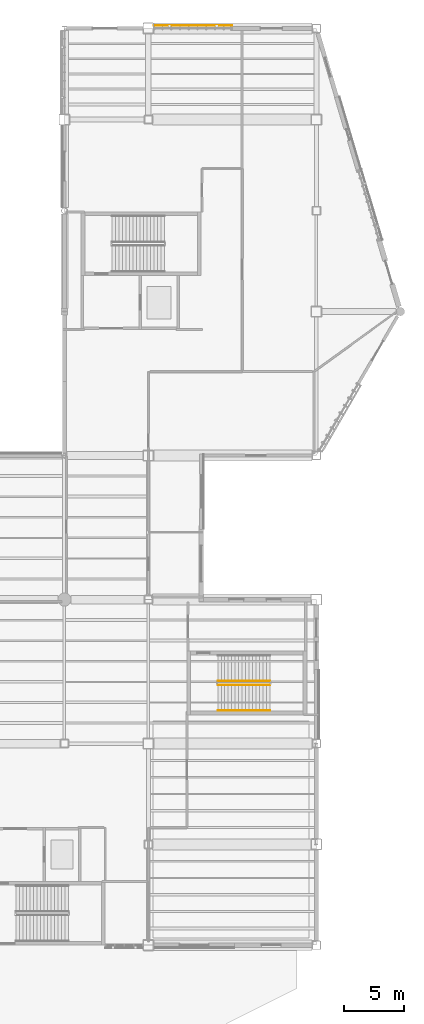
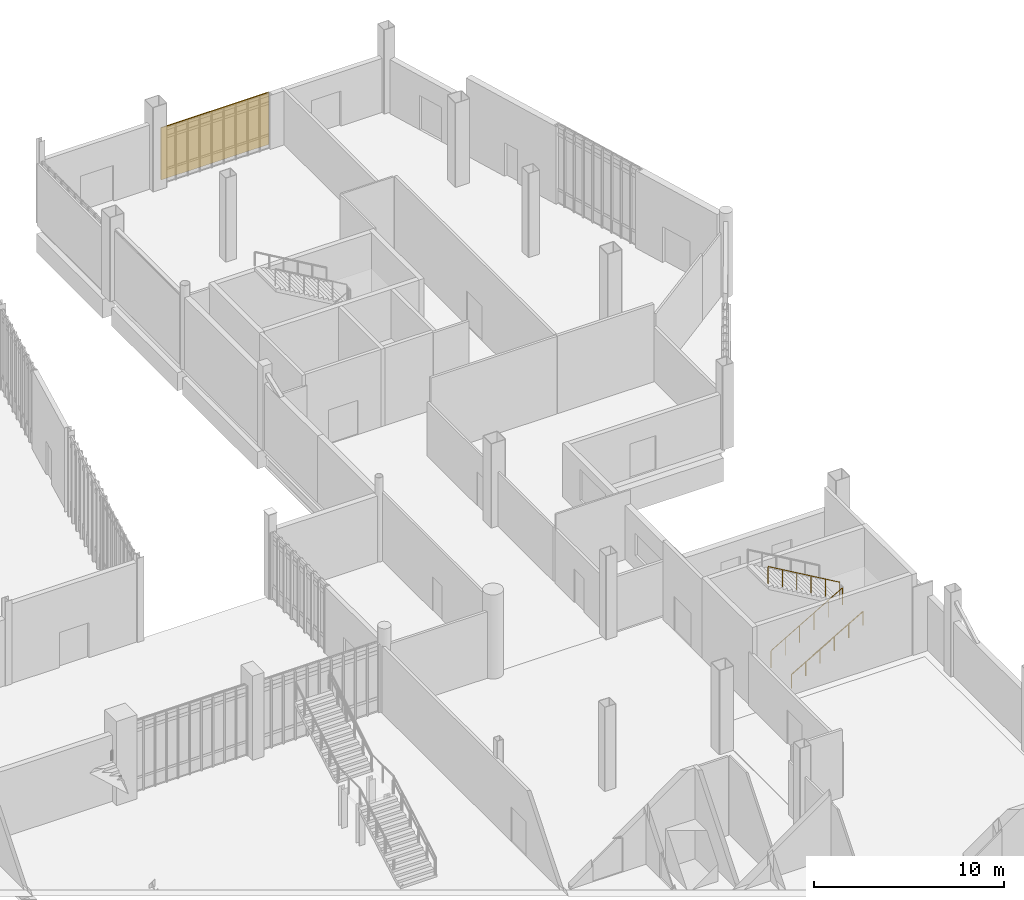
# One storey, part 108 of 111: 3 railings, 1 shading device.
"""IFC4 building model written with IfcOpenShell, lengths in metres."""

from ifc_helpers import new_model, si_unit, direction, frame, origin, origin_2d, place, context, subcontext, project, spatial, rectangle, circle, extrude, material, layer, layer_set, type_object, element, save


model = new_model("IFC4")

# Units and contexts
model_context = context("Model", 3, precision=1e-05, world=origin(), true_north=direction((0.0, 1.0)))
body_context = subcontext(model_context, "Body", "Model", "MODEL_VIEW")
ifc_project = project(units=[si_unit("LENGTHUNIT", "METRE"), si_unit("AREAUNIT", "SQUARE_METRE"), si_unit("VOLUMEUNIT", "CUBIC_METRE"), si_unit("PLANEANGLEUNIT", "RADIAN"), si_unit("MASSUNIT", "GRAM", prefix="KILO")], contexts=[model_context])

# Site, building, storey
site_placement = place(None, origin())
site = spatial("IfcSite", under=ifc_project, at=site_placement, CompositionType="ELEMENT")
building_placement = place(site_placement, origin())
building = spatial("IfcBuilding", under=site, at=building_placement, Name="Larkvane Passage Sports Hall", CompositionType="ELEMENT")
storey_placement = place(building_placement, origin())
storey = spatial("IfcBuildingStorey", under=building, at=storey_placement, Name="L00", CompositionType="ELEMENT", Elevation=0.0)

# Railings
ifc_material_1 = material(Name="Steel S355JR", Category="steel")
railing_type_1 = type_object("IfcRailingType", Name="RL-GUARD-1120", PredefinedType="GUARDRAIL", material=ifc_material_1)
railing_1_placement = place(storey_placement, frame((137.3798828125, 44.5, 0.168701171875)))
element("IfcRailing", 1, at=railing_1_placement, inside=storey, type_object=railing_type_1, Name="L00 ST-07 stair guard 1", PredefinedType="GUARDRAIL", context=body_context, shape_type="SweptSolid", body=[
    extrude(circle(Radius=0.02392578125, at=origin_2d()), frame((0.001708984375, 0.0, 1.09716796875), z_axis=(0.864323800911, 0.0, 0.50293574856), x_axis=(0.0, 1.0, 0.0)), (0.0, 0.0, 1.0), 5.029052734375),
    extrude(circle(Radius=0.02099609375, at=origin_2d()), origin(), (0.0, 0.0, 1.0), 1.072021484375),
    extrude(circle(Radius=0.02099609375, at=origin_2d()), frame((0.8701171875, 0.0, 0.50634765625)), (0.0, 0.0, 1.0), 1.072021484375),
    extrude(circle(Radius=0.02099609375, at=origin_2d()), frame((1.739990234375, 0.0, 1.012451171875)), (0.0, 0.0, 1.0), 1.072021484375),
    extrude(circle(Radius=0.02099609375, at=origin_2d()), frame((2.610107421875, 0.0, 1.518798828125)), (0.0, 0.0, 1.0), 1.072021484375),
    extrude(circle(Radius=0.02099609375, at=origin_2d()), frame((3.47998046875, 0.0, 2.02490234375)), (0.0, 0.0, 1.0), 1.072021484375),
    extrude(circle(Radius=0.02099609375, at=origin_2d()), frame((4.35009765625, 0.0, 2.53125)), (0.0, 0.0, 1.0), 1.072021484375),
])
railing_2_placement = place(storey_placement, frame((141.72998046875, 44.800048828125, 2.86865234375)))
element("IfcRailing", 2, at=railing_2_placement, inside=storey, type_object=railing_type_1, Name="L00 ST-07 stair guard 3", PredefinedType="GUARDRAIL", context=body_context, shape_type="SweptSolid", body=[
    extrude(circle(Radius=0.02392578125, at=origin_2d()), frame((-0.001708984375, 0.0, 1.09716796875), z_axis=(-0.864323800911, 0.0, 0.50293574856), x_axis=(0.0, -1.0, 0.0)), (0.0, 0.0, 1.0), 5.029052734375),
    extrude(circle(Radius=0.02099609375, at=origin_2d()), origin(), (0.0, 0.0, 1.0), 1.072021484375),
    extrude(circle(Radius=0.02099609375, at=origin_2d()), frame((-0.8701171875, 0.0, 0.50634765625)), (0.0, 0.0, 1.0), 1.072021484375),
    extrude(circle(Radius=0.02099609375, at=origin_2d()), frame((-1.739990234375, 0.0, 1.012451171875)), (0.0, 0.0, 1.0), 1.072021484375),
    extrude(circle(Radius=0.02099609375, at=origin_2d()), frame((-2.610107421875, 0.0, 1.518798828125)), (0.0, 0.0, 1.0), 1.072021484375),
    extrude(circle(Radius=0.02099609375, at=origin_2d()), frame((-3.47998046875, 0.0, 2.02490234375)), (0.0, 0.0, 1.0), 1.072021484375),
    extrude(circle(Radius=0.02099609375, at=origin_2d()), frame((-4.35009765625, 0.0, 2.53125)), (0.0, 0.0, 1.0), 1.072021484375),
])
ifc_material_2 = material(Name="Stainless steel S355JR", Category="steel")
railing_type_2 = type_object("IfcRailingType", Name="RL-HAND-920", PredefinedType="HANDRAIL", material=ifc_material_2)
railing_3_placement = place(storey_placement, frame((137.3798828125, 42.35009765625, 0.168701171875)))
element("IfcRailing", 3, at=railing_3_placement, inside=storey, type_object=railing_type_2, Name="L00 ST-07 stair handrail 1", PredefinedType="HANDRAIL", context=body_context, shape_type="SweptSolid", body=[
    extrude(circle(Radius=0.02392578125, at=origin_2d()), frame((0.001708984375, 0.0, 0.876953125), z_axis=(0.864323800911, 0.0, 0.50293574856), x_axis=(0.0, 1.0, 0.0)), (0.0, 0.0, 1.0), 5.029052734375),
    extrude(circle(Radius=0.02099609375, at=origin_2d()), origin(), (0.0, 0.0, 1.0), 0.851806640625),
    extrude(circle(Radius=0.02099609375, at=origin_2d()), frame((0.8701171875, 0.0, 0.50634765625)), (0.0, 0.0, 1.0), 0.851806640625),
    extrude(circle(Radius=0.02099609375, at=origin_2d()), frame((1.739990234375, 0.0, 1.012451171875)), (0.0, 0.0, 1.0), 0.851806640625),
    extrude(circle(Radius=0.02099609375, at=origin_2d()), frame((2.610107421875, 0.0, 1.518798828125)), (0.0, 0.0, 1.0), 0.851806640625),
    extrude(circle(Radius=0.02099609375, at=origin_2d()), frame((3.47998046875, 0.0, 2.02490234375)), (0.0, 0.0, 1.0), 0.851806640625),
    extrude(circle(Radius=0.02099609375, at=origin_2d()), frame((4.35009765625, 0.0, 2.53125)), (0.0, 0.0, 1.0), 0.851806640625),
])

# Shading device
ifc_material_3 = material(Name="Perforated anodised aluminium 5052-H32", Category="aluminium")
ifc_layer = layer(ifc_material_3, 0.06005859375)
ifc_layer_set = layer_set([ifc_layer], Name="Perforated anodised aluminium 5052-H32")
shading_device_type = type_object("IfcShadingDeviceType", Name="SHD-VEIL-PERF", PredefinedType="SHUTTER", material=ifc_layer_set)
shading_device_placement = place(storey_placement, frame((135.322998046875, 99.43994140625, 0.06005859375), z_axis=(0.0, 0.0, 1.0), x_axis=(1.0, 0.0, 0.0)))
element("IfcShadingDevice", 4, at=shading_device_placement, inside=storey, type_object=shading_device_type, Name="Solar veil screen L00-013", PredefinedType="SHUTTER", context=body_context, shape_type="SweptSolid", body=[
    extrude(rectangle(XDim=6.553955078125, YDim=0.06005859375, at=origin_2d()), origin(), (0.0, 0.0, 1.0), 3.347900390625),
])

save(model, "model.ifc")
